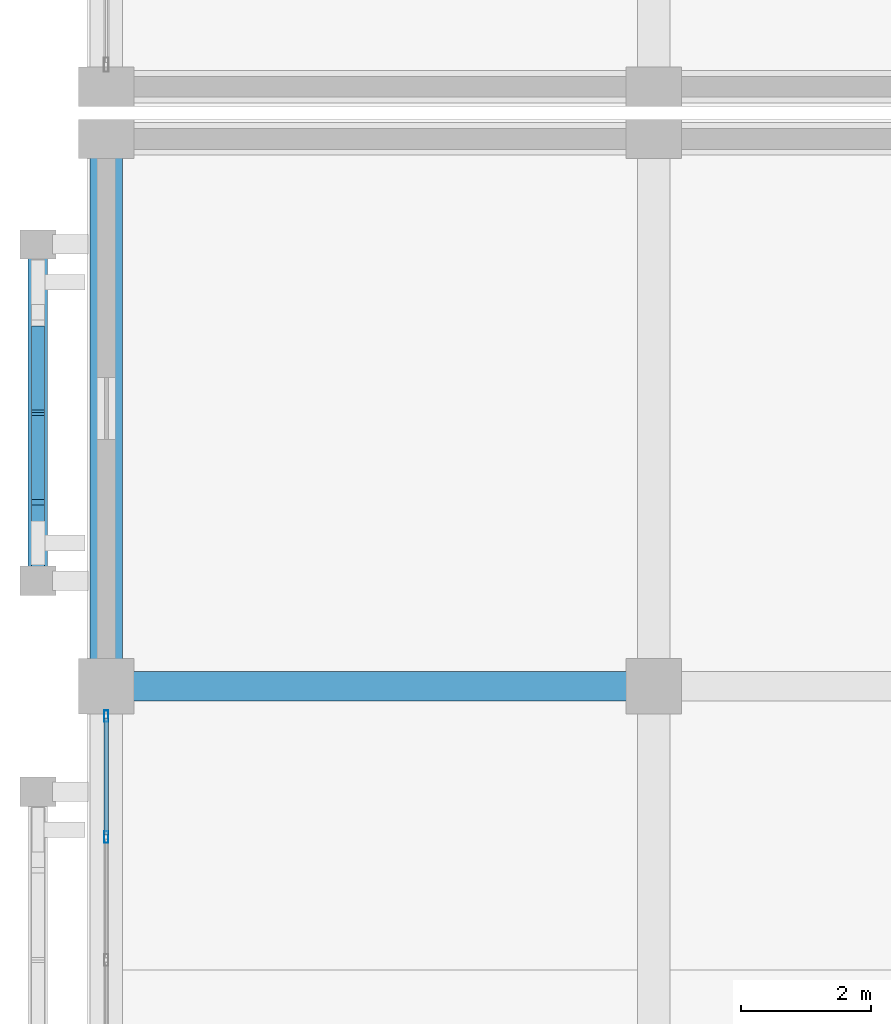
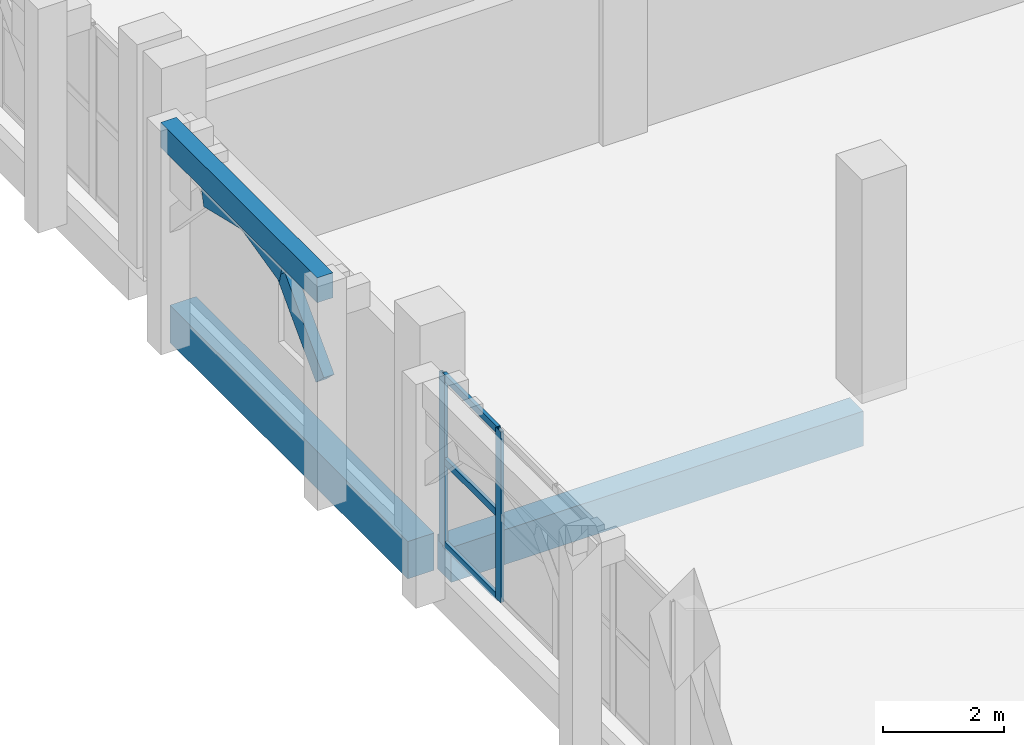
# One storey, part 20 of 137: 8 members, 3 beams, 1 element without a shape of its own.
"""IFC4 building model written with IfcOpenShell, lengths in metres."""

import ifcopenshell
import ifcopenshell.guid

model = None  # the IFC model being written
_history = None  # IfcOwnerHistory: only IFC2X3 demands one
_inside = {}  # id of a spatial element -> (the spatial element, [elements in it])
_under = {}  # id of a project, library or spatial element -> (it, [spatial elements below it])
_declared = {}  # id of a project -> (the project, [libraries it declares])
_typed = {}  # id of a type object -> (the type object, [elements of that type])
_made_of = {}  # id of a material, layer set ... -> (it, [elements and type objects made of it])


def new_model(schema):
    """Start an empty IFC model of exactly this schema.

    Asked for "IFC4X3", IfcOpenShell would pick the latest addendum, in which some entities
    have other attributes; the version numbers below select the first issue.
    IFC2X3 requires an IfcOwnerHistory on every rooted entity: one is made here for all.
    """
    global model, _history
    if schema == "IFC4X3":
        model = ifcopenshell.file(schema_version=(4, 3, 0, 0))
    else:
        model = ifcopenshell.file(schema=schema)
    _inside.clear()
    _under.clear()
    _declared.clear()
    _typed.clear()
    _made_of.clear()
    _history = None
    if model.schema == "IFC2X3":
        org = make("IfcOrganization", Name="unknown")
        user = make(
            "IfcPersonAndOrganization",
            ThePerson=make("IfcPerson", FamilyName="unknown"),
            TheOrganization=org,
        )
        app = make(
            "IfcApplication",
            ApplicationDeveloper=org,
            Version="unknown",
            ApplicationFullName="unknown",
            ApplicationIdentifier="unknown",
        )
        _history = make(
            "IfcOwnerHistory",
            OwningUser=user,
            OwningApplication=app,
            ChangeAction="ADDED",
            CreationDate=0,
        )
    return model


def make(cls, **values):
    """One entity of the class cls with the attributes given. An attribute that is None is left unset."""
    return model.create_entity(
        cls, **{name: value for name, value in values.items() if value is not None}
    )


def rooted(cls, **values):
    """An entity with a GlobalId (a new one), such as an element, a storey or a relation."""
    return make(cls, GlobalId=ifcopenshell.guid.new(), OwnerHistory=_history, **values)


def si_unit(unit_type, name, prefix=None):
    """IfcSIUnit, for example si_unit("LENGTHUNIT", "METRE", prefix="MILLI")."""
    return make("IfcSIUnit", UnitType=unit_type, Prefix=prefix, Name=name)


def assignment(units):
    """IfcUnitAssignment: the units of a project."""
    return None if units is None else make("IfcUnitAssignment", Units=units)


def point(xyz):
    """IfcCartesianPoint."""
    return None if xyz is None else make("IfcCartesianPoint", Coordinates=xyz)


def direction(xyz):
    """IfcDirection."""
    return None if xyz is None else make("IfcDirection", DirectionRatios=xyz)


def frame(location, z_axis=None, x_axis=None):
    """IfcAxis2Placement3D, a coordinate frame: its origin and axes. An axis left out is left unset."""
    return make(
        "IfcAxis2Placement3D",
        Location=point(location),
        Axis=direction(z_axis),
        RefDirection=direction(x_axis),
    )


def frame_2d(location, x_axis=None):
    """IfcAxis2Placement2D, a coordinate frame in the plane: its origin and x axis."""
    return make(
        "IfcAxis2Placement2D", Location=point(location), RefDirection=direction(x_axis)
    )


def origin():
    """The frame at (0, 0, 0) with its axes left unset."""
    return frame((0.0, 0.0, 0.0))


def origin_2d():
    """The frame at (0, 0) in the plane with its x axis left unset."""
    return frame_2d((0.0, 0.0))


def place(relative_to, where):
    """IfcLocalPlacement: puts the frame where relative to a parent placement (None: the world)."""
    return make(
        "IfcLocalPlacement", PlacementRelTo=relative_to, RelativePlacement=where
    )


def context(
    kind, dimensions, precision=None, world=None, true_north=None, identifier=None
):
    """IfcGeometricRepresentationContext, for example the 3D "Model" context."""
    return make(
        "IfcGeometricRepresentationContext",
        ContextIdentifier=identifier,
        ContextType=kind,
        CoordinateSpaceDimension=dimensions,
        Precision=precision,
        WorldCoordinateSystem=world,
        TrueNorth=true_north,
    )


def subcontext(parent, identifier, kind, view, scale=None):
    """IfcGeometricRepresentationSubContext, for example "Body" below "Model"."""
    return make(
        "IfcGeometricRepresentationSubContext",
        ContextIdentifier=identifier,
        ContextType=kind,
        ParentContext=parent,
        TargetScale=scale,
        TargetView=view,
    )


def project(units=None, contexts=None):
    """IfcProject with its units and contexts."""
    return rooted(
        "IfcProject",
        Name="project",
        RepresentationContexts=contexts,
        UnitsInContext=assignment(units),
    )


def spatial(cls, under=None, at=None, **own):
    """A site, building, storey or space (cls), placed at a placement, below another one or the project."""
    s = rooted(cls, ObjectPlacement=at, **own)
    if under is not None:
        _under.setdefault(under.id(), (under, []))[1].append(s)
    return s


def profile(cls, at=None, kind="AREA", **sizes):
    """A parametric profile (cls). Its sizes go by their IFC names, for example OverallWidth=200.0."""
    return make(cls, ProfileType=kind, Position=at, **sizes)


def rectangle(**sizes):
    """IfcRectangleProfileDef."""
    return profile("IfcRectangleProfileDef", **sizes)


def hollow_rectangle(**sizes):
    """IfcRectangleHollowProfileDef."""
    return profile("IfcRectangleHollowProfileDef", **sizes)


def extrude(swept, where, along, depth):
    """IfcExtrudedAreaSolid: the profile swept, set in the frame where, extruded along a direction by depth."""
    return make(
        "IfcExtrudedAreaSolid",
        SweptArea=swept,
        Position=where,
        ExtrudedDirection=direction(along),
        Depth=depth,
    )


def shape(context_of_items, identifier, shape_type, items):
    """IfcShapeRepresentation: the items that make up one representation, for example the "Body"."""
    return make(
        "IfcShapeRepresentation",
        ContextOfItems=context_of_items,
        RepresentationIdentifier=identifier,
        RepresentationType=shape_type,
        Items=items,
    )


def material(Name=None, Category=None):
    """IfcMaterial."""
    return make("IfcMaterial", Name=Name, Category=Category)


def layer(
    of_material, thickness, ventilated=None, Name=None, Category=None, Priority=None
):
    """IfcMaterialLayer: one layer of a wall or slab, of a material (None: an air gap)."""
    return make(
        "IfcMaterialLayer",
        Material=of_material,
        LayerThickness=thickness,
        IsVentilated=ventilated,
        Name=Name,
        Category=Category,
        Priority=Priority,
    )


def layer_set(layers, Name=None):
    """IfcMaterialLayerSet."""
    return make("IfcMaterialLayerSet", MaterialLayers=layers, LayerSetName=Name)


def material_profile(
    of_material, cross_section, Name=None, Category=None, Priority=None
):
    """IfcMaterialProfile: a cross section and its material."""
    return make(
        "IfcMaterialProfile",
        Name=Name,
        Material=of_material,
        Profile=cross_section,
        Priority=Priority,
        Category=Category,
    )


def profile_set(profiles, Name=None, composite=None):
    """IfcMaterialProfileSet."""
    return make(
        "IfcMaterialProfileSet",
        Name=Name,
        MaterialProfiles=profiles,
        CompositeProfile=composite,
    )


def made_of(thing, what):
    """Note that an element or type object is made of a material, layer set ...; save() writes the relation."""
    if what is not None:
        _made_of.setdefault(what.id(), (what, []))[1].append(thing)
    return thing


def type_object(cls, material=None, **own):
    """A type object (cls), such as IfcWallType, which elements share."""
    return made_of(rooted(cls, **own), material)


def element(
    cls,
    number,
    at=None,
    inside=None,
    cuts=None,
    type_object=None,
    material=None,
    context=None,
    identifier="Body",
    shape_type=None,
    held_by="IfcProductDefinitionShape",
    body=None,
    shapes=None,
    **own,
):
    """One element of the class cls, such as IfcWall. Its Tag is "e" and its number.

    at: its placement. inside: the storey or other place that contains it. cuts: it is an
    opening in that element (IfcRelVoidsElement). A single representation is given by context,
    identifier, shape_type and body (its items); several are given by shapes. held_by: the class
    of the entity that holds the representations. save() writes the other relations.
    """
    e = rooted(cls, Tag="e%d" % number, ObjectPlacement=at, **own)
    if body is not None:
        shapes = [shape(context, identifier, shape_type, body)]
    if shapes is not None:
        e.Representation = make(held_by, Representations=shapes)
    if inside is not None:
        _inside.setdefault(inside.id(), (inside, []))[1].append(e)
    if cuts is not None:
        rooted(
            "IfcRelVoidsElement", RelatingBuildingElement=cuts, RelatedOpeningElement=e
        )
    if type_object is not None:
        _typed.setdefault(type_object.id(), (type_object, []))[1].append(e)
    return made_of(e, material)


def aggregate(whole, parts):
    """IfcRelAggregates: a whole, such as a stair, and the parts it consists of."""
    return rooted("IfcRelAggregates", RelatingObject=whole, RelatedObjects=parts)


def save(model, path):
    """Write the relations noted so far, then the file.

    IfcRelAggregates (storeys below a building ...), IfcRelContainedInSpatialStructure (elements
    in a storey), IfcRelDefinesByType, IfcRelAssociatesMaterial and IfcRelDeclares: one each for
    every whole, place, type object, material and project.
    """
    for whole, parts in _under.values():
        aggregate(whole, parts)
    for where, things in _inside.values():
        rooted(
            "IfcRelContainedInSpatialStructure",
            RelatedElements=things,
            RelatingStructure=where,
        )
    for kind, things in _typed.values():
        rooted("IfcRelDefinesByType", RelatedObjects=things, RelatingType=kind)
    for what, things in _made_of.values():
        rooted("IfcRelAssociatesMaterial", RelatedObjects=things, RelatingMaterial=what)
    for by, libraries in _declared.values():
        rooted("IfcRelDeclares", RelatingContext=by, RelatedDefinitions=libraries)
    model.write(path)


model = new_model("IFC4")

# Units and contexts
model_context = context("Model", 3, precision=1e-05, world=origin(), true_north=direction((0.0, 1.0)))
body_context = subcontext(model_context, "Body", "Model", "MODEL_VIEW")
ifc_project = project(units=[si_unit("LENGTHUNIT", "METRE"), si_unit("AREAUNIT", "SQUARE_METRE"), si_unit("VOLUMEUNIT", "CUBIC_METRE"), si_unit("PLANEANGLEUNIT", "RADIAN"), si_unit("MASSUNIT", "GRAM", prefix="KILO")], contexts=[model_context])

# Site, building, storey
site_placement = place(None, origin())
site = spatial("IfcSite", under=ifc_project, at=site_placement, CompositionType="ELEMENT")
building_placement = place(site_placement, origin())
building = spatial("IfcBuilding", under=site, at=building_placement, Name="Xazarin Passage Department Store", CompositionType="ELEMENT")
storey_placement = place(building_placement, frame((0.0, 0.0, 5.39990234375)))
storey = spatial("IfcBuildingStorey", under=building, at=storey_placement, Name="L01", CompositionType="ELEMENT", Elevation=5.39990234375)

# Curtain wall, members
ifc_material_1 = material(Name="Bronze anodised aluminium", Category="aluminium")
ifc_layer = layer(ifc_material_1, 0.18994140625)
ifc_layer_set = layer_set([ifc_layer], Name="Bronze anodised aluminium")
curtain_wall_type = type_object("IfcCurtainWallType", Name="ARC-CW-FDH1", PredefinedType="NOTDEFINED", material=ifc_layer_set)
curtain_wall_placement = place(storey_placement, origin())
curtain_wall = element("IfcCurtainWall", 1, at=curtain_wall_placement, inside=storey, type_object=curtain_wall_type, Name="L01 V3 Curtain Wall 128", PredefinedType="NOTDEFINED")
ifc_material_profile_1 = material_profile(ifc_material_1, hollow_rectangle(XDim=0.06494140625, YDim=0.179931640625, WallThickness=0.00390625, at=origin_2d()), Name="ALU 65x180")
ifc_profile_set_1 = profile_set([ifc_material_profile_1], Name="Bronze anodised aluminium")
member_type_1 = type_object("IfcMemberType", Name="ARC-CWM-65x180", PredefinedType="MULLION", material=ifc_profile_set_1)
member_1_placement = place(storey_placement, frame((0.0, 39.6875, 0.0), z_axis=(0.0, 0.0, 1.0), x_axis=(-1.0, 0.0, 0.0)))
member_1 = element("IfcMember", 2, at=member_1_placement, type_object=member_type_1, Name="CW5 mullion 4", PredefinedType="MULLION", context=body_context, shape_type="SweptSolid", body=[
    extrude(hollow_rectangle(XDim=0.06494140625, YDim=0.179931640625, WallThickness=0.00390625, at=origin_2d()), origin(), (0.0, 0.0, 1.0), 3.43017578125),
])
member_2_placement = place(storey_placement, frame((0.0, 41.54248046875, 0.0), z_axis=(0.0, 0.0, 1.0), x_axis=(-1.0, 0.0, 0.0)))
member_2 = element("IfcMember", 3, at=member_2_placement, type_object=member_type_1, Name="CW5 mullion 5", PredefinedType="MULLION", context=body_context, shape_type="SweptSolid", body=[
    extrude(hollow_rectangle(XDim=0.06494140625, YDim=0.179931640625, WallThickness=0.00390625, at=origin_2d()), origin(), (0.0, 0.0, 1.0), 3.43017578125),
])
ifc_material_profile_2 = material_profile(ifc_material_1, hollow_rectangle(XDim=0.06494140625, YDim=0.139892578125, WallThickness=0.00390625, at=origin_2d()), Name="ALU 65x140")
ifc_profile_set_2 = profile_set([ifc_material_profile_2], Name="Bronze anodised aluminium")
member_type_2 = type_object("IfcMemberType", Name="ARC-CWT-65x140", PredefinedType="USERDEFINED", material=ifc_profile_set_2)
member_3_placement = place(storey_placement, frame((0.0, 39.719970703125, 0.03271484375), z_axis=(0.0, 1.0, 0.0), x_axis=(-1.0, 0.0, 0.0)))
member_3 = element("IfcMember", 4, at=member_3_placement, type_object=member_type_2, Name="CW5 transom 4.1", ObjectType="TRANSOM", PredefinedType="USERDEFINED", context=body_context, shape_type="SweptSolid", body=[
    extrude(hollow_rectangle(XDim=0.06494140625, YDim=0.139892578125, WallThickness=0.00390625, at=origin_2d()), origin(), (0.0, 0.0, 1.0), 1.7900390625),
])
member_4_placement = place(storey_placement, frame((0.0, 39.719970703125, 1.715087890625), z_axis=(0.0, 1.0, 0.0), x_axis=(-1.0, 0.0, 0.0)))
member_4 = element("IfcMember", 5, at=member_4_placement, type_object=member_type_2, Name="CW5 transom 4.2", ObjectType="TRANSOM", PredefinedType="USERDEFINED", context=body_context, shape_type="SweptSolid", body=[
    extrude(hollow_rectangle(XDim=0.06494140625, YDim=0.139892578125, WallThickness=0.00390625, at=origin_2d()), origin(), (0.0, 0.0, 1.0), 1.7900390625),
])
member_5_placement = place(storey_placement, frame((0.0, 39.719970703125, 3.397705078125), z_axis=(0.0, 1.0, 0.0), x_axis=(-1.0, 0.0, 0.0)))
member_5 = element("IfcMember", 6, at=member_5_placement, type_object=member_type_2, Name="CW5 transom 4.3", ObjectType="TRANSOM", PredefinedType="USERDEFINED", context=body_context, shape_type="SweptSolid", body=[
    extrude(hollow_rectangle(XDim=0.06494140625, YDim=0.139892578125, WallThickness=0.00390625, at=origin_2d()), origin(), (0.0, 0.0, 1.0), 1.7900390625),
])
aggregate(curtain_wall, [member_1, member_2, member_3, member_4, member_5])

# Beams
ifc_material_2 = material(Name="Concrete C35/45", Category="concrete")
ifc_material_profile_3 = material_profile(ifc_material_2, rectangle(XDim=0.449951171875, YDim=0.699951171875, at=origin_2d()), Name="RC 450x700")
ifc_profile_set_3 = profile_set([ifc_material_profile_3], Name="Concrete C35/45")
beam_type_1 = type_object("IfcBeamType", Name="STR-BM-G450x700", PredefinedType="BEAM", material=ifc_profile_set_3)
beam_1_placement = place(storey_placement, frame((0.280029296875, 42.0, -0.669921875), z_axis=(1.0, 0.0, 0.0), x_axis=(0.0, 1.0, 0.0)))
element("IfcBeam", 7, at=beam_1_placement, inside=storey, type_object=beam_type_1, Name="L01 Grid Beam F/1-2", PredefinedType="BEAM", context=body_context, shape_type="SweptSolid", body=[
    extrude(rectangle(XDim=0.449951171875, YDim=0.699951171875, at=origin_2d()), origin(), (0.0, 0.0, 1.0), 7.840087890625),
])
ifc_material_profile_4 = material_profile(ifc_material_2, rectangle(XDim=0.300048828125, YDim=0.5, at=origin_2d()), Name="RC 300x500")
ifc_profile_set_4 = profile_set([ifc_material_profile_4], Name="Concrete C35/45")
beam_type_2 = type_object("IfcBeamType", Name="STR-BM-LN300x500", PredefinedType="LINTEL", material=ifc_profile_set_4)
beam_2_placement = place(storey_placement, frame((-1.050048828125, 43.6201171875, 4.25), z_axis=(0.0, 1.0, 0.0), x_axis=(-1.0, 0.0, 0.0)))
element("IfcBeam", 8, at=beam_2_placement, inside=storey, type_object=beam_type_2, Name="L01 V3 Colonnade Spandrel Beam 037", PredefinedType="LINTEL", context=body_context, shape_type="SweptSolid", body=[
    extrude(rectangle(XDim=0.300048828125, YDim=0.5, at=origin_2d()), origin(), (0.0, 0.0, 1.0), 5.159912109375),
])
ifc_material_profile_5 = material_profile(ifc_material_2, rectangle(XDim=0.5, YDim=0.75, at=origin_2d()), Name="RC 500x750")
ifc_profile_set_5 = profile_set([ifc_material_profile_5], Name="Concrete C35/45")
beam_type_3 = type_object("IfcBeamType", Name="STR-BM-SP500x750", PredefinedType="SPANDREL", material=ifc_profile_set_5)
beam_3_placement = place(storey_placement, frame((0.0, 42.280029296875, -0.69482421875), z_axis=(0.0, 1.0, 0.0), x_axis=(-1.0, 0.0, 0.0)))
element("IfcBeam", 9, at=beam_3_placement, inside=storey, type_object=beam_type_3, Name="L01 Grid Beam 1/F-G", PredefinedType="SPANDREL", context=body_context, shape_type="SweptSolid", body=[
    extrude(rectangle(XDim=0.5, YDim=0.75, at=origin_2d()), origin(), (0.0, 0.0, 1.0), 7.840087890625),
])

# Members
ifc_material_3 = material(Name="Concrete C40/50", Category="concrete")
ifc_material_profile_6 = material_profile(ifc_material_3, rectangle(XDim=0.199951171875, YDim=0.360107421875, at=origin_2d()), Name="RC 200x360")
ifc_profile_set_6 = profile_set([ifc_material_profile_6], Name="Concrete C40/50")
member_type_3 = type_object("IfcMemberType", Name="STR-MEM-ARC360", PredefinedType="CHORD", material=ifc_profile_set_6)
member_6_placement = place(storey_placement, frame((-1.050048828125, 43.6201171875, 2.43017578125), z_axis=(0.0, 0.693391944082, 0.720560623322), x_axis=(-1.0, 0.0, 0.0)))
element("IfcMember", 10, at=member_6_placement, inside=storey, type_object=member_type_3, Name="L01 V3 Pierced Lattice Curved Arch 037.1", PredefinedType="CHORD", context=body_context, shape_type="SweptSolid", body=[
    extrude(rectangle(XDim=0.199951171875, YDim=0.360107421875, at=origin_2d()), origin(), (0.0, 0.0, 1.0), 1.860107421875),
])
for number, where, z_axis, x_axis, name in (
    (11, (-1.050048828125, 44.909912109375, 3.7705078125), (0.0, 0.972393983317, 0.233345111818), (-1.0, 0.0, 0.0), "L01 V3 Pierced Lattice Curved Arch 037.2"),
    (12, (-1.050048828125, 46.199951171875, 4.080078125), (0.0, 0.972393983317, -0.233345111818), (-1.0, 0.0, 0.0), "L01 V3 Pierced Lattice Curved Arch 037.3"),
):
    element("IfcMember", number, at=place(storey_placement, frame(where, z_axis=z_axis, x_axis=x_axis)), inside=storey, type_object=member_type_3, Name=name, PredefinedType="CHORD", context=body_context, shape_type="SweptSolid", body=[
        extrude(rectangle(XDim=0.199951171875, YDim=0.360107421875, at=origin_2d()), origin(), (0.0, 0.0, 1.0), 1.32666015625),
    ])

save(model, "model.ifc")
